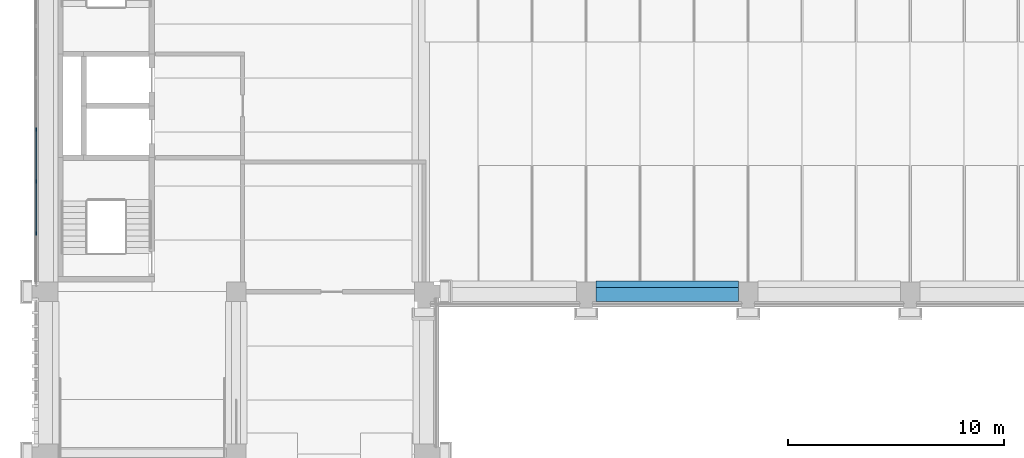
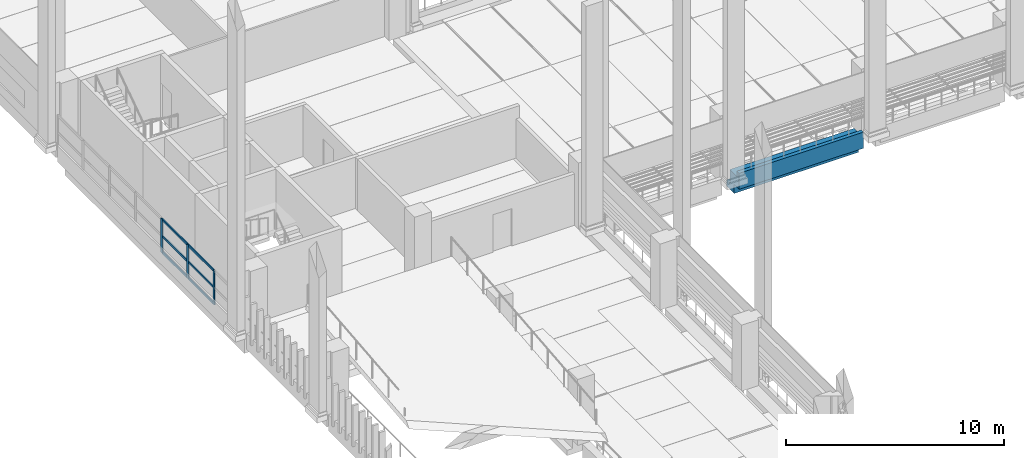
# One storey, part 4 of 67: 9 members, 1 beam, 1 element without a shape of its own.
"""IFC4 building model written with IfcOpenShell, lengths in metres."""

from ifc_helpers import new_model, si_unit, direction, frame, origin, origin_2d, place, context, subcontext, project, spatial, polyline, rectangle, outline, extrude, material, layer, layer_set, material_profile, profile_set, type_object, element, aggregate, save


model = new_model("IFC4")

# Units and contexts
model_context = context("Model", 3, precision=1e-05, world=origin(), true_north=direction((0.0, 1.0)))
body_context = subcontext(model_context, "Body", "Model", "MODEL_VIEW")
ifc_project = project(units=[si_unit("LENGTHUNIT", "METRE"), si_unit("AREAUNIT", "SQUARE_METRE"), si_unit("VOLUMEUNIT", "CUBIC_METRE"), si_unit("PLANEANGLEUNIT", "RADIAN"), si_unit("MASSUNIT", "GRAM", prefix="KILO")], contexts=[model_context])

# Site, building, storey
site_placement = place(None, origin())
site = spatial("IfcSite", under=ifc_project, at=site_placement, CompositionType="ELEMENT")
building_placement = place(site_placement, origin())
building = spatial("IfcBuilding", under=site, at=building_placement, Name="Cour d'Honneur Mobility Palace", CompositionType="ELEMENT")
storey_placement = place(building_placement, frame((0.0, 0.0, 4.5)))
storey = spatial("IfcBuildingStorey", under=building, at=storey_placement, Name="L01", CompositionType="ELEMENT", Elevation=4.5)

# Curtain wall, members
ifc_material_1 = material(Name="Aluminium and glass", Category="aluminium")
ifc_layer = layer(ifc_material_1, 0.10009765625)
ifc_layer_set = layer_set([ifc_layer], Name="Aluminium and glass")
curtain_wall_type = type_object("IfcCurtainWallType", Name="Curtain wall run", PredefinedType="NOTDEFINED", material=ifc_layer_set)
curtain_wall_placement = place(storey_placement, origin())
curtain_wall = element("IfcCurtainWall", 1, at=curtain_wall_placement, inside=storey, type_object=curtain_wall_type, Name="Curtain wall CW-100", PredefinedType="NOTDEFINED")
ifc_material_2 = material(Name="Aluminium", Category="aluminium")
ifc_material_profile_1 = material_profile(ifc_material_2, rectangle(XDim=0.06005859375, YDim=0.159912109375, at=origin_2d()), Name="Curtain wall mullion")
ifc_profile_set_1 = profile_set([ifc_material_profile_1], Name="Aluminium")
member_type_1 = type_object("IfcMemberType", Name="Curtain wall mullion", PredefinedType="MULLION", material=ifc_profile_set_1)
member_1_placement = place(storey_placement, frame((-0.550048828125, 52.5, 0.0), z_axis=(0.0, 0.0, 1.0), x_axis=(1.0, 0.0, 0.0)))
member_1 = element("IfcMember", 2, at=member_1_placement, type_object=member_type_1, Name="CW-100 mullion 5", PredefinedType="MULLION", context=body_context, shape_type="SweptSolid", body=[
    extrude(rectangle(XDim=0.06005859375, YDim=0.159912109375, at=origin_2d()), origin(), (0.0, 0.0, 1.0), 1.89990234375),
])
member_2_placement = place(storey_placement, frame((-0.550048828125, 50.10009765625, 0.0), z_axis=(0.0, 0.0, 1.0), x_axis=(1.0, 0.0, 0.0)))
member_2 = element("IfcMember", 3, at=member_2_placement, type_object=member_type_1, Name="CW-100 mullion 6", PredefinedType="MULLION", context=body_context, shape_type="SweptSolid", body=[
    extrude(rectangle(XDim=0.06005859375, YDim=0.159912109375, at=origin_2d()), origin(), (0.0, 0.0, 1.0), 1.89990234375),
])
member_3_placement = place(storey_placement, frame((-0.550048828125, 47.699951171875, 0.0), z_axis=(0.0, 0.0, 1.0), x_axis=(1.0, 0.0, 0.0)))
member_3 = element("IfcMember", 4, at=member_3_placement, type_object=member_type_1, Name="CW-100 mullion 7", PredefinedType="MULLION", context=body_context, shape_type="SweptSolid", body=[
    extrude(rectangle(XDim=0.06005859375, YDim=0.159912109375, at=origin_2d()), origin(), (0.0, 0.0, 1.0), 1.89990234375),
])
ifc_material_3 = material(Name="Aluminium", Category="aluminium")
ifc_material_profile_2 = material_profile(ifc_material_3, rectangle(XDim=0.06005859375, YDim=0.1201171875, at=origin_2d()), Name="Curtain wall transom")
ifc_profile_set_2 = profile_set([ifc_material_profile_2], Name="Aluminium")
member_type_2 = type_object("IfcMemberType", Name="Curtain wall transom", PredefinedType="USERDEFINED", material=ifc_profile_set_2)
member_4_placement = place(storey_placement, frame((-0.550048828125, 52.469970703125, 0.030029296875), z_axis=(0.0, -1.0, 0.0), x_axis=(1.0, 0.0, 0.0)))
member_4 = element("IfcMember", 5, at=member_4_placement, type_object=member_type_2, Name="CW-100 transom 5.1", ObjectType="TRANSOM", PredefinedType="USERDEFINED", context=body_context, shape_type="SweptSolid", body=[
    extrude(rectangle(XDim=0.06005859375, YDim=0.1201171875, at=origin_2d()), origin(), (0.0, 0.0, 1.0), 2.340087890625),
])
member_5_placement = place(storey_placement, frame((-0.550048828125, 52.469970703125, 0.949951171875), z_axis=(0.0, -1.0, 0.0), x_axis=(1.0, 0.0, 0.0)))
member_5 = element("IfcMember", 6, at=member_5_placement, type_object=member_type_2, Name="CW-100 transom 5.2", ObjectType="TRANSOM", PredefinedType="USERDEFINED", context=body_context, shape_type="SweptSolid", body=[
    extrude(rectangle(XDim=0.06005859375, YDim=0.1201171875, at=origin_2d()), origin(), (0.0, 0.0, 1.0), 2.340087890625),
])
member_6_placement = place(storey_placement, frame((-0.550048828125, 52.469970703125, 1.8701171875), z_axis=(0.0, -1.0, 0.0), x_axis=(1.0, 0.0, 0.0)))
member_6 = element("IfcMember", 7, at=member_6_placement, type_object=member_type_2, Name="CW-100 transom 5.3", ObjectType="TRANSOM", PredefinedType="USERDEFINED", context=body_context, shape_type="SweptSolid", body=[
    extrude(rectangle(XDim=0.06005859375, YDim=0.1201171875, at=origin_2d()), origin(), (0.0, 0.0, 1.0), 2.340087890625),
])
member_7_placement = place(storey_placement, frame((-0.550048828125, 50.070068359375, 0.030029296875), z_axis=(0.0, -1.0, 0.0), x_axis=(1.0, 0.0, 0.0)))
member_7 = element("IfcMember", 8, at=member_7_placement, type_object=member_type_2, Name="CW-100 transom 6.1", ObjectType="TRANSOM", PredefinedType="USERDEFINED", context=body_context, shape_type="SweptSolid", body=[
    extrude(rectangle(XDim=0.06005859375, YDim=0.1201171875, at=origin_2d()), origin(), (0.0, 0.0, 1.0), 2.340087890625),
])
member_8_placement = place(storey_placement, frame((-0.550048828125, 50.070068359375, 0.949951171875), z_axis=(0.0, -1.0, 0.0), x_axis=(1.0, 0.0, 0.0)))
member_8 = element("IfcMember", 9, at=member_8_placement, type_object=member_type_2, Name="CW-100 transom 6.2", ObjectType="TRANSOM", PredefinedType="USERDEFINED", context=body_context, shape_type="SweptSolid", body=[
    extrude(rectangle(XDim=0.06005859375, YDim=0.1201171875, at=origin_2d()), origin(), (0.0, 0.0, 1.0), 2.340087890625),
])
member_9_placement = place(storey_placement, frame((-0.550048828125, 50.070068359375, 1.8701171875), z_axis=(0.0, -1.0, 0.0), x_axis=(1.0, 0.0, 0.0)))
member_9 = element("IfcMember", 10, at=member_9_placement, type_object=member_type_2, Name="CW-100 transom 6.3", ObjectType="TRANSOM", PredefinedType="USERDEFINED", context=body_context, shape_type="SweptSolid", body=[
    extrude(rectangle(XDim=0.06005859375, YDim=0.1201171875, at=origin_2d()), origin(), (0.0, 0.0, 1.0), 2.340087890625),
])
aggregate(curtain_wall, [member_1, member_2, member_3, member_4, member_5, member_6, member_7, member_8, member_9])

# Beam
ifc_material_4 = material(Name="Concrete C45", Category="concrete")
ifc_material_profile_3 = material_profile(ifc_material_4, outline(polyline([(0.5, -1.10009765625), (0.5, -0.75), (0.199951171875, -0.75), (0.199951171875, 0.0), (-0.199951171875, 0.0), (-0.449951171875, 0.0), (-0.449951171875, 0.300048828125), (-0.64990234375, 0.300048828125), (-0.64990234375, -0.60009765625), (-0.199951171875, -0.60009765625), (-0.199951171875, -1.10009765625), (0.5, -1.10009765625)])), Name="Ledger Beam 400x1100 ledge left 350 facade right")
ifc_profile_set_3 = profile_set([ifc_material_profile_3], Name="Concrete C45")
beam_type = type_object("IfcBeamType", Name="Ledger Beam 400x1100 ledge left 350 facade right", PredefinedType="BEAM", material=ifc_profile_set_3)
beam_placement = place(storey_placement, frame((25.35009765625, 45.0, 0.0), z_axis=(1.0, 0.0, 0.0), x_axis=(0.0, 1.0, 0.0)))
element("IfcBeam", 11, at=beam_placement, inside=storey, type_object=beam_type, Name="Precast beam B2 3-4 L01", PredefinedType="BEAM", context=body_context, shape_type="SweptSolid", body=[
    extrude(outline(polyline([(0.5, -1.10009765625), (0.5, -0.75), (0.199951171875, -0.75), (0.199951171875, 0.0), (-0.199951171875, 0.0), (-0.449951171875, 0.0), (-0.449951171875, 0.300048828125), (-0.64990234375, 0.300048828125), (-0.64990234375, -0.60009765625), (-0.199951171875, -0.60009765625), (-0.199951171875, -1.10009765625), (0.5, -1.10009765625)])), origin(), (0.0, 0.0, 1.0), 6.599853515625),
])

save(model, "model.ifc")
